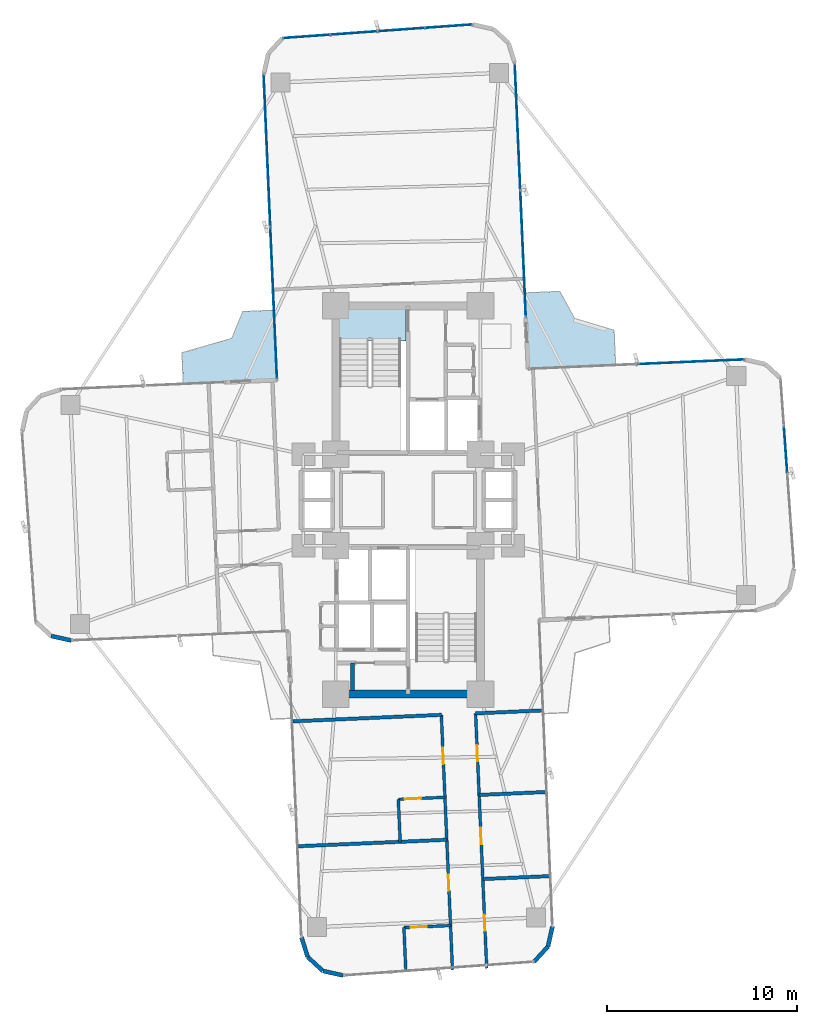
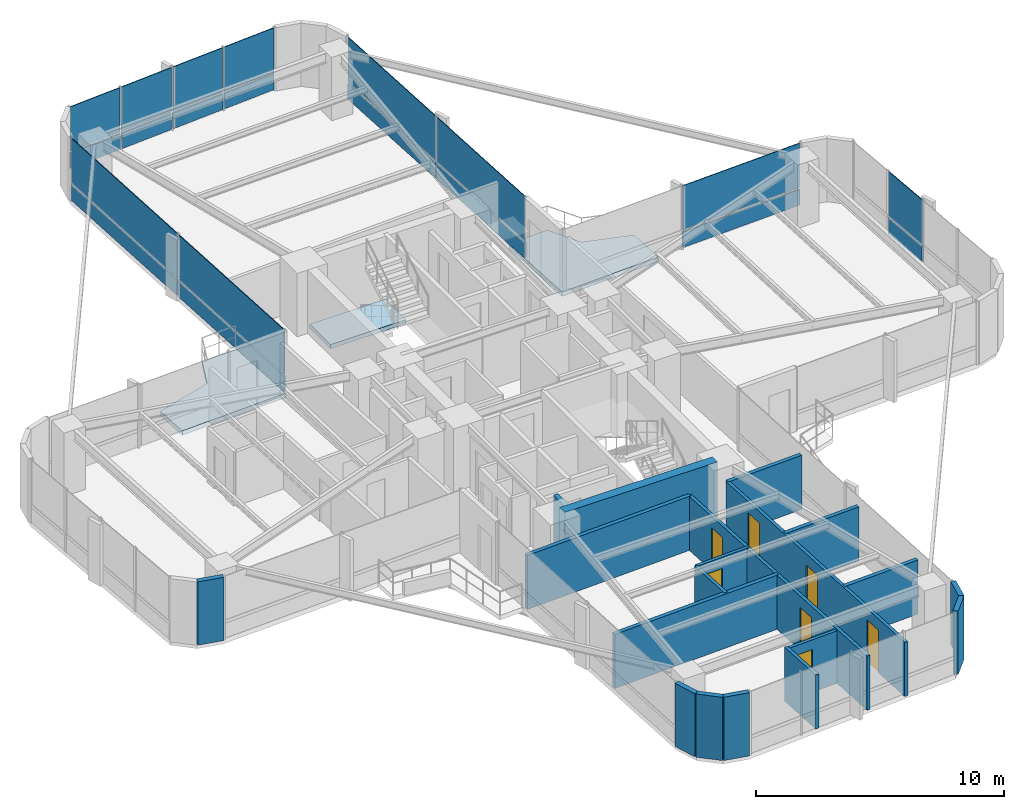
# One storey, part 22 of 26: 20 plates, 19 walls, 7 doors, 3 slabs, 7 openings, 5 elements without a shape of their own.
"""IFC4 building model written with IfcOpenShell, lengths in metres."""

import ifcopenshell
import ifcopenshell.guid

model = None  # the IFC model being written
_history = None  # IfcOwnerHistory: only IFC2X3 demands one
_inside = {}  # id of a spatial element -> (the spatial element, [elements in it])
_under = {}  # id of a project, library or spatial element -> (it, [spatial elements below it])
_declared = {}  # id of a project -> (the project, [libraries it declares])
_typed = {}  # id of a type object -> (the type object, [elements of that type])
_made_of = {}  # id of a material, layer set ... -> (it, [elements and type objects made of it])


def new_model(schema):
    """Start an empty IFC model of exactly this schema.

    Asked for "IFC4X3", IfcOpenShell would pick the latest addendum, in which some entities
    have other attributes; the version numbers below select the first issue.
    IFC2X3 requires an IfcOwnerHistory on every rooted entity: one is made here for all.
    """
    global model, _history
    if schema == "IFC4X3":
        model = ifcopenshell.file(schema_version=(4, 3, 0, 0))
    else:
        model = ifcopenshell.file(schema=schema)
    _inside.clear()
    _under.clear()
    _declared.clear()
    _typed.clear()
    _made_of.clear()
    _history = None
    if model.schema == "IFC2X3":
        org = make("IfcOrganization", Name="unknown")
        user = make(
            "IfcPersonAndOrganization",
            ThePerson=make("IfcPerson", FamilyName="unknown"),
            TheOrganization=org,
        )
        app = make(
            "IfcApplication",
            ApplicationDeveloper=org,
            Version="unknown",
            ApplicationFullName="unknown",
            ApplicationIdentifier="unknown",
        )
        _history = make(
            "IfcOwnerHistory",
            OwningUser=user,
            OwningApplication=app,
            ChangeAction="ADDED",
            CreationDate=0,
        )
    return model


def make(cls, **values):
    """One entity of the class cls with the attributes given. An attribute that is None is left unset."""
    return model.create_entity(
        cls, **{name: value for name, value in values.items() if value is not None}
    )


def rooted(cls, **values):
    """An entity with a GlobalId (a new one), such as an element, a storey or a relation."""
    return make(cls, GlobalId=ifcopenshell.guid.new(), OwnerHistory=_history, **values)


def si_unit(unit_type, name, prefix=None):
    """IfcSIUnit, for example si_unit("LENGTHUNIT", "METRE", prefix="MILLI")."""
    return make("IfcSIUnit", UnitType=unit_type, Prefix=prefix, Name=name)


def assignment(units):
    """IfcUnitAssignment: the units of a project."""
    return None if units is None else make("IfcUnitAssignment", Units=units)


def point(xyz):
    """IfcCartesianPoint."""
    return None if xyz is None else make("IfcCartesianPoint", Coordinates=xyz)


def direction(xyz):
    """IfcDirection."""
    return None if xyz is None else make("IfcDirection", DirectionRatios=xyz)


def frame(location, z_axis=None, x_axis=None):
    """IfcAxis2Placement3D, a coordinate frame: its origin and axes. An axis left out is left unset."""
    return make(
        "IfcAxis2Placement3D",
        Location=point(location),
        Axis=direction(z_axis),
        RefDirection=direction(x_axis),
    )


def frame_2d(location, x_axis=None):
    """IfcAxis2Placement2D, a coordinate frame in the plane: its origin and x axis."""
    return make(
        "IfcAxis2Placement2D", Location=point(location), RefDirection=direction(x_axis)
    )


def origin():
    """The frame at (0, 0, 0) with its axes left unset."""
    return frame((0.0, 0.0, 0.0))


def origin_2d():
    """The frame at (0, 0) in the plane with its x axis left unset."""
    return frame_2d((0.0, 0.0))


def place(relative_to, where):
    """IfcLocalPlacement: puts the frame where relative to a parent placement (None: the world)."""
    return make(
        "IfcLocalPlacement", PlacementRelTo=relative_to, RelativePlacement=where
    )


def context(
    kind, dimensions, precision=None, world=None, true_north=None, identifier=None
):
    """IfcGeometricRepresentationContext, for example the 3D "Model" context."""
    return make(
        "IfcGeometricRepresentationContext",
        ContextIdentifier=identifier,
        ContextType=kind,
        CoordinateSpaceDimension=dimensions,
        Precision=precision,
        WorldCoordinateSystem=world,
        TrueNorth=true_north,
    )


def subcontext(parent, identifier, kind, view, scale=None):
    """IfcGeometricRepresentationSubContext, for example "Body" below "Model"."""
    return make(
        "IfcGeometricRepresentationSubContext",
        ContextIdentifier=identifier,
        ContextType=kind,
        ParentContext=parent,
        TargetScale=scale,
        TargetView=view,
    )


def project(units=None, contexts=None):
    """IfcProject with its units and contexts."""
    return rooted(
        "IfcProject",
        Name="project",
        RepresentationContexts=contexts,
        UnitsInContext=assignment(units),
    )


def spatial(cls, under=None, at=None, **own):
    """A site, building, storey or space (cls), placed at a placement, below another one or the project."""
    s = rooted(cls, ObjectPlacement=at, **own)
    if under is not None:
        _under.setdefault(under.id(), (under, []))[1].append(s)
    return s


def polyline(points):
    """IfcPolyline through the points."""
    return make("IfcPolyline", Points=[point(p) for p in points])


def profile(cls, at=None, kind="AREA", **sizes):
    """A parametric profile (cls). Its sizes go by their IFC names, for example OverallWidth=200.0."""
    return make(cls, ProfileType=kind, Position=at, **sizes)


def rectangle(**sizes):
    """IfcRectangleProfileDef."""
    return profile("IfcRectangleProfileDef", **sizes)


def outline(outer, holes=None, kind="AREA"):
    """IfcArbitraryClosedProfileDef: a profile drawn as a closed curve; with holes, ...WithVoids."""
    if holes is None:
        return make("IfcArbitraryClosedProfileDef", ProfileType=kind, OuterCurve=outer)
    return make(
        "IfcArbitraryProfileDefWithVoids",
        ProfileType=kind,
        OuterCurve=outer,
        InnerCurves=holes,
    )


def extrude(swept, where, along, depth):
    """IfcExtrudedAreaSolid: the profile swept, set in the frame where, extruded along a direction by depth."""
    return make(
        "IfcExtrudedAreaSolid",
        SweptArea=swept,
        Position=where,
        ExtrudedDirection=direction(along),
        Depth=depth,
    )


def shape(context_of_items, identifier, shape_type, items):
    """IfcShapeRepresentation: the items that make up one representation, for example the "Body"."""
    return make(
        "IfcShapeRepresentation",
        ContextOfItems=context_of_items,
        RepresentationIdentifier=identifier,
        RepresentationType=shape_type,
        Items=items,
    )


def source(mapping_origin, context_of_items, identifier, shape_type, items):
    """IfcRepresentationMap: a shape defined once, which mapped items show again and again."""
    return make(
        "IfcRepresentationMap",
        MappingOrigin=mapping_origin,
        MappedRepresentation=shape(context_of_items, identifier, shape_type, items),
    )


def transform(
    local_origin,
    x_axis=None,
    y_axis=None,
    z_axis=None,
    scale=None,
    scale2=None,
    scale3=None,
    uniform=True,
):
    """IfcCartesianTransformationOperator3D, or its non-uniform kind. x_axis, y_axis, z_axis: its Axis1, 2, 3."""
    if uniform:
        return make(
            "IfcCartesianTransformationOperator3D",
            Axis1=direction(x_axis),
            Axis2=direction(y_axis),
            LocalOrigin=point(local_origin),
            Scale=scale,
            Axis3=direction(z_axis),
        )
    return make(
        "IfcCartesianTransformationOperator3DnonUniform",
        Axis1=direction(x_axis),
        Axis2=direction(y_axis),
        LocalOrigin=point(local_origin),
        Scale=scale,
        Axis3=direction(z_axis),
        Scale2=scale2,
        Scale3=scale3,
    )


def mapped(mapping_source, mapping_target):
    """IfcMappedItem: shows the shape of a source again, moved by a transform."""
    return make(
        "IfcMappedItem", MappingSource=mapping_source, MappingTarget=mapping_target
    )


def material(Name=None, Category=None):
    """IfcMaterial."""
    return make("IfcMaterial", Name=Name, Category=Category)


def layer(
    of_material, thickness, ventilated=None, Name=None, Category=None, Priority=None
):
    """IfcMaterialLayer: one layer of a wall or slab, of a material (None: an air gap)."""
    return make(
        "IfcMaterialLayer",
        Material=of_material,
        LayerThickness=thickness,
        IsVentilated=ventilated,
        Name=Name,
        Category=Category,
        Priority=Priority,
    )


def layer_set(layers, Name=None):
    """IfcMaterialLayerSet."""
    return make("IfcMaterialLayerSet", MaterialLayers=layers, LayerSetName=Name)


def made_of(thing, what):
    """Note that an element or type object is made of a material, layer set ...; save() writes the relation."""
    if what is not None:
        _made_of.setdefault(what.id(), (what, []))[1].append(thing)
    return thing


def type_object(cls, material=None, **own):
    """A type object (cls), such as IfcWallType, which elements share."""
    return made_of(rooted(cls, **own), material)


def element(
    cls,
    number,
    at=None,
    inside=None,
    cuts=None,
    type_object=None,
    material=None,
    context=None,
    identifier="Body",
    shape_type=None,
    held_by="IfcProductDefinitionShape",
    body=None,
    shapes=None,
    **own,
):
    """One element of the class cls, such as IfcWall. Its Tag is "e" and its number.

    at: its placement. inside: the storey or other place that contains it. cuts: it is an
    opening in that element (IfcRelVoidsElement). A single representation is given by context,
    identifier, shape_type and body (its items); several are given by shapes. held_by: the class
    of the entity that holds the representations. save() writes the other relations.
    """
    e = rooted(cls, Tag="e%d" % number, ObjectPlacement=at, **own)
    if body is not None:
        shapes = [shape(context, identifier, shape_type, body)]
    if shapes is not None:
        e.Representation = make(held_by, Representations=shapes)
    if inside is not None:
        _inside.setdefault(inside.id(), (inside, []))[1].append(e)
    if cuts is not None:
        rooted(
            "IfcRelVoidsElement", RelatingBuildingElement=cuts, RelatedOpeningElement=e
        )
    if type_object is not None:
        _typed.setdefault(type_object.id(), (type_object, []))[1].append(e)
    return made_of(e, material)


def fill(opening, filler):
    """IfcRelFillsElement: the door or window that sits in an opening."""
    return rooted(
        "IfcRelFillsElement",
        RelatingOpeningElement=opening,
        RelatedBuildingElement=filler,
    )


def aggregate(whole, parts):
    """IfcRelAggregates: a whole, such as a stair, and the parts it consists of."""
    return rooted("IfcRelAggregates", RelatingObject=whole, RelatedObjects=parts)


def save(model, path):
    """Write the relations noted so far, then the file.

    IfcRelAggregates (storeys below a building ...), IfcRelContainedInSpatialStructure (elements
    in a storey), IfcRelDefinesByType, IfcRelAssociatesMaterial and IfcRelDeclares: one each for
    every whole, place, type object, material and project.
    """
    for whole, parts in _under.values():
        aggregate(whole, parts)
    for where, things in _inside.values():
        rooted(
            "IfcRelContainedInSpatialStructure",
            RelatedElements=things,
            RelatingStructure=where,
        )
    for kind, things in _typed.values():
        rooted("IfcRelDefinesByType", RelatedObjects=things, RelatingType=kind)
    for what, things in _made_of.values():
        rooted("IfcRelAssociatesMaterial", RelatedObjects=things, RelatingMaterial=what)
    for by, libraries in _declared.values():
        rooted("IfcRelDeclares", RelatingContext=by, RelatedDefinitions=libraries)
    model.write(path)


model = new_model("IFC4")

# Units and contexts
model_context = context("Model", 3, precision=1e-05, world=origin(), true_north=direction((0.0, 1.0)))
body_context = subcontext(model_context, "Body", "Model", "MODEL_VIEW")
ifc_project = project(units=[si_unit("LENGTHUNIT", "METRE"), si_unit("AREAUNIT", "SQUARE_METRE"), si_unit("VOLUMEUNIT", "CUBIC_METRE"), si_unit("PLANEANGLEUNIT", "RADIAN"), si_unit("MASSUNIT", "GRAM", prefix="KILO")], contexts=[model_context])

# Site, building, storey
site_placement = place(None, origin())
site = spatial("IfcSite", under=ifc_project, at=site_placement, CompositionType="ELEMENT")
building_placement = place(site_placement, origin())
building = spatial("IfcBuilding", under=site, at=building_placement, Name="Sahyath Konkavel Grand Hotel", CompositionType="ELEMENT")
storey_placement = place(building_placement, frame((0.0, 0.0, 121.5)))
storey = spatial("IfcBuildingStorey", under=building, at=storey_placement, Name="L33", CompositionType="ELEMENT", Elevation=121.5)

# Slabs
ifc_material_1 = material(Name="Concrete C40/50", Category="concrete")
ifc_layer_1 = layer(ifc_material_1, 0.219970703125)
ifc_layer_set_1 = layer_set([ifc_layer_1], Name="Concrete C40/50")
slab_type_1 = type_object("IfcSlabType", Name="SLB-BALCONY-220", PredefinedType="FLOOR", material=ifc_layer_set_1)
slab_1_placement = place(storey_placement, frame((0.0, 0.0, -0.219970703125)))
element("IfcSlab", 1, at=slab_1_placement, inside=storey, type_object=slab_type_1, Name="L33 Winter-Garden Balcony NE", PredefinedType="FLOOR", context=body_context, shape_type="SweptSolid", body=[
    extrude(outline(polyline([(6.305908203125, 6.881591796875), (10.8994140625, 7.082275390625), (10.8193359375, 8.9150390625), (8.740234375, 9.538330078125), (7.964111328125, 10.959716796875), (6.13134765625, 10.8798828125), (6.305908203125, 6.881591796875)])), origin(), (0.0, 0.0, 1.0), 0.219970703125),
])
slab_2_placement = place(storey_placement, frame((0.0, 0.0, -0.219970703125)))
element("IfcSlab", 2, at=slab_2_placement, inside=storey, type_object=slab_type_1, Name="L33 Winter-Garden Balcony NW", PredefinedType="FLOOR", context=body_context, shape_type="SweptSolid", body=[
    extrude(outline(polyline([(-6.881591796875, 6.305908203125), (-7.04150390625, 9.96923828125), (-8.6845703125, 9.897705078125), (-9.26318359375, 8.488037109375), (-11.881591796875, 7.733642578125), (-11.809814453125, 6.0908203125), (-6.881591796875, 6.305908203125)])), origin(), (0.0, 0.0, 1.0), 0.219970703125),
])
ifc_layer_2 = layer(ifc_material_1, 0.199951171875)
ifc_layer_set_2 = layer_set([ifc_layer_2], Name="Concrete C40/50")
slab_type_2 = type_object("IfcSlabType", Name="SLB-STAIR-LND", PredefinedType="LANDING", material=ifc_layer_set_2)
slab_3_placement = place(storey_placement, frame((0.0, 0.0, -0.199951171875)))
element("IfcSlab", 3, at=slab_3_placement, inside=storey, type_object=slab_type_2, Name="L33 Stair ST-1 Floor Landing Slab", PredefinedType="LANDING", context=body_context, shape_type="SweptSolid", body=[
    extrude(outline(polyline([(-3.6201171875, 8.35009765625), (-0.10009765625, 8.35009765625), (-0.10009765625, 10.02001953125), (-3.6201171875, 10.02001953125), (-3.6201171875, 8.35009765625)])), origin(), (0.0, 0.0, 1.0), 0.199951171875),
])

# Curtain wall, plate
ifc_material_2 = material(Name="Anodised Bronze Aluminium & Low-E Glazing", Category="aluminium")
curtain_wall_type = type_object("IfcCurtainWallType", Name="CW-ZONE2", PredefinedType="NOTDEFINED", material=ifc_material_2)
curtain_wall_1_placement = place(storey_placement, origin())
curtain_wall_1 = element("IfcCurtainWall", 4, at=curtain_wall_1_placement, inside=storey, type_object=curtain_wall_type, Name="L33 Unitised Curtain Wall F4", PredefinedType="NOTDEFINED")
ifc_material_3 = material(Name="Warm Buff Sandstone Cladding", Category="masonry")
ifc_layer_3 = layer(ifc_material_3, 0.074951171875)
ifc_layer_set_3 = layer_set([ifc_layer_3], Name="Warm Buff Sandstone Cladding")
plate_type_1 = type_object("IfcPlateType", Name="PNL-SPANDREL-STONE", PredefinedType="SHEET", material=ifc_layer_set_3)
shared_shape_1 = source(origin(), body_context, "Body", "SweptSolid", [
    extrude(rectangle(XDim=2.41357421875, YDim=0.074951171875, at=origin_2d()), origin(), (0.0, 0.0, 1.0), 0.77001953125),
])
plate_1_placement = place(storey_placement, frame((19.828369140625, 2.638671875, 0.0400390625), z_axis=(0.0, 0.0, 1.0), x_axis=(-0.071567078661, 0.997435789037, 0.0)))
plate_1 = element("IfcPlate", 5, at=plate_1_placement, type_object=plate_type_1, Name="L33 Sandstone Relief Spandrel Panel F4-2", PredefinedType="SHEET", context=body_context, shape_type="MappedRepresentation", body=[
    mapped(shared_shape_1, transform((0.0, 0.0, 0.0), scale=1.0)),
])

# Curtain wall, plates
curtain_wall_2_placement = place(storey_placement, origin())
curtain_wall_2 = element("IfcCurtainWall", 6, at=curtain_wall_2_placement, inside=storey, type_object=curtain_wall_type, Name="L33 Unitised Curtain Wall F12", PredefinedType="NOTDEFINED")
plate_2_placement = place(storey_placement, frame((2.130615234375, 24.880615234375, 0.0400390625), z_axis=(0.0, 0.0, 1.0), x_axis=(-0.997435789037, -0.071567078661, 0.0)))
plate_2 = element("IfcPlate", 7, at=plate_2_placement, type_object=plate_type_1, Name="L33 Sandstone Relief Spandrel Panel F12-0", PredefinedType="SHEET", context=body_context, shape_type="MappedRepresentation", body=[
    mapped(shared_shape_1, transform((0.0, 0.0, 0.0), scale=1.0)),
])
plate_3_placement = place(storey_placement, frame((-0.356689453125, 24.7021484375, 0.0400390625), z_axis=(0.0, 0.0, 1.0), x_axis=(-0.997435789037, -0.071567078661, 0.0)))
plate_3 = element("IfcPlate", 8, at=plate_3_placement, type_object=plate_type_1, Name="L33 Sandstone Relief Spandrel Panel F12-1", PredefinedType="SHEET", context=body_context, shape_type="MappedRepresentation", body=[
    mapped(shared_shape_1, transform((0.0, 0.0, 0.0), scale=1.0)),
])
plate_4_placement = place(storey_placement, frame((-2.84375, 24.523681640625, 0.0400390625), z_axis=(0.0, 0.0, 1.0), x_axis=(-0.997435789037, -0.071567078661, 0.0)))
plate_4 = element("IfcPlate", 9, at=plate_4_placement, type_object=plate_type_1, Name="L33 Sandstone Relief Spandrel Panel F12-2", PredefinedType="SHEET", context=body_context, shape_type="MappedRepresentation", body=[
    mapped(shared_shape_1, transform((0.0, 0.0, 0.0), scale=1.0)),
])
plate_5_placement = place(storey_placement, frame((-5.330810546875, 24.34521484375, 0.0400390625), z_axis=(0.0, 0.0, 1.0), x_axis=(-0.997435789037, -0.071567078661, 0.0)))
plate_5 = element("IfcPlate", 10, at=plate_5_placement, type_object=plate_type_1, Name="L33 Sandstone Relief Spandrel Panel F12-3", PredefinedType="SHEET", context=body_context, shape_type="MappedRepresentation", body=[
    mapped(shared_shape_1, transform((0.0, 0.0, 0.0), scale=1.0)),
])

# Curtain wall, plate
curtain_wall_3_placement = place(storey_placement, origin())
curtain_wall_3 = element("IfcCurtainWall", 11, at=curtain_wall_3_placement, inside=storey, type_object=curtain_wall_type, Name="L33 Unitised Curtain Wall F7", PredefinedType="NOTDEFINED")
shared_shape_2 = source(origin(), body_context, "Body", "SweptSolid", [
    extrude(rectangle(XDim=5.580078125, YDim=0.074951171875, at=origin_2d()), origin(), (0.0, 0.0, 1.0), 0.77001953125),
])
plate_6_placement = place(storey_placement, frame((14.82763671875, 7.25390625, 0.0400390625), z_axis=(0.0, 0.0, 1.0), x_axis=(-0.999048221582, -0.043619387365, 0.0)))
plate_6 = element("IfcPlate", 12, at=plate_6_placement, type_object=plate_type_1, Name="L33 Sandstone Relief Spandrel Panel F7-0", PredefinedType="SHEET", context=body_context, shape_type="MappedRepresentation", body=[
    mapped(shared_shape_2, transform((0.0, 0.0, 0.0), scale=1.0)),
])

# Curtain wall, plates
curtain_wall_4_placement = place(storey_placement, origin())
curtain_wall_4 = element("IfcCurtainWall", 13, at=curtain_wall_4_placement, inside=storey, type_object=curtain_wall_type, Name="L33 Unitised Curtain Wall F8", PredefinedType="NOTDEFINED")
shared_shape_3 = source(origin(), body_context, "Body", "SweptSolid", [
    extrude(rectangle(XDim=6.580078125, YDim=0.074951171875, at=origin_2d()), origin(), (0.0, 0.0, 1.0), 0.77001953125),
])
plate_7_placement = place(storey_placement, frame((6.041015625, 12.94580078125, 0.0400390625), z_axis=(0.0, 0.0, 1.0), x_axis=(-0.043619387365, 0.999048221582, 0.0)))
plate_7 = element("IfcPlate", 14, at=plate_7_placement, type_object=plate_type_1, Name="L33 Sandstone Relief Spandrel Panel F8-0", PredefinedType="SHEET", context=body_context, shape_type="MappedRepresentation", body=[
    mapped(shared_shape_3, transform((0.0, 0.0, 0.0), scale=1.0)),
])
plate_8_placement = place(storey_placement, frame((5.75048828125, 19.599609375, 0.0400390625), z_axis=(0.0, 0.0, 1.0), x_axis=(-0.043619387365, 0.999048221582, 0.0)))
plate_8 = element("IfcPlate", 15, at=plate_8_placement, type_object=plate_type_1, Name="L33 Sandstone Relief Spandrel Panel F8-1", PredefinedType="SHEET", context=body_context, shape_type="MappedRepresentation", body=[
    mapped(shared_shape_3, transform((0.0, 0.0, 0.0), scale=1.0)),
])

curtain_wall_5_placement = place(storey_placement, origin())
curtain_wall_5 = element("IfcCurtainWall", 16, at=curtain_wall_5_placement, inside=storey, type_object=curtain_wall_type, Name="L33 Unitised Curtain Wall F15", PredefinedType="NOTDEFINED")
shared_shape_4 = source(origin(), body_context, "Body", "SweptSolid", [
    extrude(rectangle(XDim=7.929931640625, YDim=0.074951171875, at=origin_2d()), origin(), (0.0, 0.0, 1.0), 0.77001953125),
])
plate_9_placement = place(storey_placement, frame((-7.407470703125, 18.349365234375, 0.0400390625), z_axis=(0.0, 0.0, 1.0), x_axis=(0.043619387365, -0.999048221582, 0.0)))
plate_9 = element("IfcPlate", 17, at=plate_9_placement, type_object=plate_type_1, Name="L33 Sandstone Relief Spandrel Panel F15-0", PredefinedType="SHEET", context=body_context, shape_type="MappedRepresentation", body=[
    mapped(shared_shape_4, transform((0.0, 0.0, 0.0), scale=1.0)),
])
plate_10_placement = place(storey_placement, frame((-7.05810546875, 10.346923828125, 0.0400390625), z_axis=(0.0, 0.0, 1.0), x_axis=(0.043619387365, -0.999048221582, 0.0)))
plate_10 = element("IfcPlate", 18, at=plate_10_placement, type_object=plate_type_1, Name="L33 Sandstone Relief Spandrel Panel F15-1", PredefinedType="SHEET", context=body_context, shape_type="MappedRepresentation", body=[
    mapped(shared_shape_4, transform((0.0, 0.0, 0.0), scale=1.0)),
])

# Plate
ifc_material_4 = material(Name="Low-E Solar Control Double Glazing", Category="glass")
ifc_layer_4 = layer(ifc_material_4, 0.035888671875)
ifc_layer_set_4 = layer_set([ifc_layer_4], Name="Low-E Solar Control Double Glazing")
plate_type_2 = type_object("IfcPlateType", Name="PNL-VISION-LOWE", PredefinedType="CURTAIN_PANEL", material=ifc_layer_set_4)
shared_shape_5 = source(origin(), body_context, "Body", "SweptSolid", [
    extrude(rectangle(XDim=2.41357421875, YDim=0.035888671875, at=origin_2d()), origin(), (0.0, 0.0, 1.0), 2.179931640625),
])
plate_11_placement = place(storey_placement, frame((19.828369140625, 2.638671875, 0.89013671875), z_axis=(0.0, 0.0, 1.0), x_axis=(-0.071567078661, 0.997435789037, 0.0)))
plate_11 = element("IfcPlate", 19, at=plate_11_placement, type_object=plate_type_2, Name="L33 Low-E Vision Glazing Panel F4-2", PredefinedType="CURTAIN_PANEL", context=body_context, shape_type="MappedRepresentation", body=[
    mapped(shared_shape_5, transform((0.0, 0.0, 0.0), scale=1.0)),
])

aggregate(curtain_wall_1, [plate_1, plate_11])

plate_12_placement = place(storey_placement, frame((2.130615234375, 24.880615234375, 0.89013671875), z_axis=(0.0, 0.0, 1.0), x_axis=(-0.997435789037, -0.071567078661, 0.0)))
plate_12 = element("IfcPlate", 20, at=plate_12_placement, type_object=plate_type_2, Name="L33 Low-E Vision Glazing Panel F12-0", PredefinedType="CURTAIN_PANEL", context=body_context, shape_type="MappedRepresentation", body=[
    mapped(shared_shape_5, transform((0.0, 0.0, 0.0), scale=1.0)),
])

plate_13_placement = place(storey_placement, frame((-0.356689453125, 24.7021484375, 0.89013671875), z_axis=(0.0, 0.0, 1.0), x_axis=(-0.997435789037, -0.071567078661, 0.0)))
plate_13 = element("IfcPlate", 21, at=plate_13_placement, type_object=plate_type_2, Name="L33 Low-E Vision Glazing Panel F12-1", PredefinedType="CURTAIN_PANEL", context=body_context, shape_type="MappedRepresentation", body=[
    mapped(shared_shape_5, transform((0.0, 0.0, 0.0), scale=1.0)),
])

plate_14_placement = place(storey_placement, frame((-2.84375, 24.523681640625, 0.89013671875), z_axis=(0.0, 0.0, 1.0), x_axis=(-0.997435789037, -0.071567078661, 0.0)))
plate_14 = element("IfcPlate", 22, at=plate_14_placement, type_object=plate_type_2, Name="L33 Low-E Vision Glazing Panel F12-2", PredefinedType="CURTAIN_PANEL", context=body_context, shape_type="MappedRepresentation", body=[
    mapped(shared_shape_5, transform((0.0, 0.0, 0.0), scale=1.0)),
])

plate_15_placement = place(storey_placement, frame((-5.330810546875, 24.34521484375, 0.89013671875), z_axis=(0.0, 0.0, 1.0), x_axis=(-0.997435789037, -0.071567078661, 0.0)))
plate_15 = element("IfcPlate", 23, at=plate_15_placement, type_object=plate_type_2, Name="L33 Low-E Vision Glazing Panel F12-3", PredefinedType="CURTAIN_PANEL", context=body_context, shape_type="MappedRepresentation", body=[
    mapped(shared_shape_5, transform((0.0, 0.0, 0.0), scale=1.0)),
])

aggregate(curtain_wall_2, [plate_2, plate_12, plate_3, plate_13, plate_4, plate_14, plate_5, plate_15])

shared_shape_6 = source(origin(), body_context, "Body", "SweptSolid", [
    extrude(rectangle(XDim=5.580078125, YDim=0.035888671875, at=origin_2d()), origin(), (0.0, 0.0, 1.0), 2.179931640625),
])
plate_16_placement = place(storey_placement, frame((14.82763671875, 7.25390625, 0.89013671875), z_axis=(0.0, 0.0, 1.0), x_axis=(-0.999048221582, -0.043619387365, 0.0)))
plate_16 = element("IfcPlate", 24, at=plate_16_placement, type_object=plate_type_2, Name="L33 Low-E Vision Glazing Panel F7-0", PredefinedType="CURTAIN_PANEL", context=body_context, shape_type="MappedRepresentation", body=[
    mapped(shared_shape_6, transform((0.0, 0.0, 0.0), scale=1.0)),
])

aggregate(curtain_wall_3, [plate_6, plate_16])

shared_shape_7 = source(origin(), body_context, "Body", "SweptSolid", [
    extrude(rectangle(XDim=6.580078125, YDim=0.035888671875, at=origin_2d()), origin(), (0.0, 0.0, 1.0), 2.179931640625),
])
plate_17_placement = place(storey_placement, frame((6.041015625, 12.94580078125, 0.89013671875), z_axis=(0.0, 0.0, 1.0), x_axis=(-0.043619387365, 0.999048221582, 0.0)))
plate_17 = element("IfcPlate", 25, at=plate_17_placement, type_object=plate_type_2, Name="L33 Low-E Vision Glazing Panel F8-0", PredefinedType="CURTAIN_PANEL", context=body_context, shape_type="MappedRepresentation", body=[
    mapped(shared_shape_7, transform((0.0, 0.0, 0.0), scale=1.0)),
])

plate_18_placement = place(storey_placement, frame((5.75048828125, 19.599609375, 0.89013671875), z_axis=(0.0, 0.0, 1.0), x_axis=(-0.043619387365, 0.999048221582, 0.0)))
plate_18 = element("IfcPlate", 26, at=plate_18_placement, type_object=plate_type_2, Name="L33 Low-E Vision Glazing Panel F8-1", PredefinedType="CURTAIN_PANEL", context=body_context, shape_type="MappedRepresentation", body=[
    mapped(shared_shape_7, transform((0.0, 0.0, 0.0), scale=1.0)),
])

aggregate(curtain_wall_4, [plate_7, plate_17, plate_8, plate_18])

shared_shape_8 = source(origin(), body_context, "Body", "SweptSolid", [
    extrude(rectangle(XDim=7.929931640625, YDim=0.035888671875, at=origin_2d()), origin(), (0.0, 0.0, 1.0), 2.179931640625),
])
plate_19_placement = place(storey_placement, frame((-7.407470703125, 18.349365234375, 0.89013671875), z_axis=(0.0, 0.0, 1.0), x_axis=(0.043619387365, -0.999048221582, 0.0)))
plate_19 = element("IfcPlate", 27, at=plate_19_placement, type_object=plate_type_2, Name="L33 Low-E Vision Glazing Panel F15-0", PredefinedType="CURTAIN_PANEL", context=body_context, shape_type="MappedRepresentation", body=[
    mapped(shared_shape_8, transform((0.0, 0.0, 0.0), scale=1.0)),
])

plate_20_placement = place(storey_placement, frame((-7.05810546875, 10.346923828125, 0.89013671875), z_axis=(0.0, 0.0, 1.0), x_axis=(0.043619387365, -0.999048221582, 0.0)))
plate_20 = element("IfcPlate", 28, at=plate_20_placement, type_object=plate_type_2, Name="L33 Low-E Vision Glazing Panel F15-1", PredefinedType="CURTAIN_PANEL", context=body_context, shape_type="MappedRepresentation", body=[
    mapped(shared_shape_8, transform((0.0, 0.0, 0.0), scale=1.0)),
])

aggregate(curtain_wall_5, [plate_9, plate_19, plate_10, plate_20])

# Walls
ifc_material_5 = material(Name="Concrete C50/60", Category="concrete")
ifc_layer_5 = layer(ifc_material_5, 0.419921875)
ifc_layer_set_5 = layer_set([ifc_layer_5], Name="Concrete C50/60")
wall_type_1 = type_object("IfcWallType", Name="CWALL-420", PredefinedType="SHEAR", material=ifc_layer_set_5)
wall_1_placement = place(storey_placement, frame((-3.550048828125, -10.199951171875, 0.0), z_axis=(0.0, 0.0, 1.0), x_axis=(1.0, 0.0, 0.0)))
element("IfcWall", 29, at=wall_1_placement, inside=storey, type_object=wall_type_1, Name="L33 South Core Shear Wall S", PredefinedType="SHEAR", context=body_context, shape_type="SweptSolid", body=[
    extrude(rectangle(XDim=7.10009765625, YDim=0.419921875, at=frame_2d((3.550048828125, 0.0))), origin(), (0.0, 0.0, 1.0), 3.110107421875),
])
ifc_material_6 = material(Name="Warm Buff Sandstone Insulated Concrete C40/50", Category="masonry")
ifc_layer_6 = layer(ifc_material_6, 0.219970703125)
ifc_layer_set_6 = layer_set([ifc_layer_6], Name="Warm Buff Sandstone Insulated Concrete C40/50")
wall_type_2 = type_object("IfcWallType", Name="WLL-BALC-THRESH", PredefinedType="STANDARD", material=ifc_layer_set_6)
wall_2_placement = place(storey_placement, frame((-18.75634765625, -7.1435546875, 0.0), z_axis=(0.0, 0.0, 1.0), x_axis=(0.976282085775, -0.216502399514, 0.0)))
element("IfcWall", 30, at=wall_2_placement, inside=storey, type_object=wall_type_2, Name="L33 Rounded Corner Sandstone Pier 22", PredefinedType="STANDARD", context=body_context, shape_type="SweptSolid", body=[
    extrude(rectangle(XDim=1.087158203125, YDim=0.219970703125, at=frame_2d((0.54345703125, 0.0))), origin(), (0.0, 0.0, 1.0), 3.110107421875),
])
wall_3_placement = place(storey_placement, frame((-5.603515625, -22.96630859375, 0.0), z_axis=(0.0, 0.0, 1.0), x_axis=(0.300755105707, -0.953701403161, 0.0)))
element("IfcWall", 31, at=wall_3_placement, inside=storey, type_object=wall_type_2, Name="L33 Rounded Corner Sandstone Pier 25", PredefinedType="STANDARD", context=body_context, shape_type="SweptSolid", body=[
    extrude(rectangle(XDim=1.0869140625, YDim=0.219970703125, at=frame_2d((0.54345703125, 0.0))), origin(), (0.0, 0.0, 1.0), 3.110107421875),
])
wall_4_placement = place(storey_placement, frame((-5.276611328125, -24.0029296875, 0.0), z_axis=(0.0, 0.0, 1.0), x_axis=(0.737312600672, -0.675551721847, 0.0)))
element("IfcWall", 32, at=wall_4_placement, inside=storey, type_object=wall_type_2, Name="L33 Rounded Corner Sandstone Pier 26", PredefinedType="STANDARD", context=body_context, shape_type="SweptSolid", body=[
    extrude(rectangle(XDim=1.087158203125, YDim=0.219970703125, at=frame_2d((0.54345703125, 0.0))), origin(), (0.0, 0.0, 1.0), 3.110107421875),
])
for number, where, z_axis, x_axis, name in (
    (33, (-4.47509765625, -24.7373046875, 0.0), (0.0, 0.0, 1.0), (0.976271555154, -0.216549880158, 0.0), "L33 Rounded Corner Sandstone Pier 27"),
    (34, (6.6142578125, -24.253173828125, 0.0), (0.0, 0.0, 1.0), (0.675663596772, 0.737210081318, 0.0), "L33 Rounded Corner Sandstone Pier 29"),
):
    element("IfcWall", number, at=place(storey_placement, frame(where, z_axis=z_axis, x_axis=x_axis)), inside=storey, type_object=wall_type_2, Name=name, PredefinedType="STANDARD", context=body_context, shape_type="SweptSolid", body=[
        extrude(rectangle(XDim=1.0869140625, YDim=0.219970703125, at=frame_2d((0.54345703125, 0.0))), origin(), (0.0, 0.0, 1.0), 3.110107421875),
    ])
wall_5_placement = place(storey_placement, frame((7.3486328125, -23.451904296875, 0.0), z_axis=(0.0, 0.0, 1.0), x_axis=(0.216454939174, 0.976292609471, 0.0)))
element("IfcWall", 35, at=wall_5_placement, inside=storey, type_object=wall_type_2, Name="L33 Rounded Corner Sandstone Pier 30", PredefinedType="STANDARD", context=body_context, shape_type="SweptSolid", body=[
    extrude(rectangle(XDim=1.08740234375, YDim=0.219970703125, at=frame_2d((0.543701171875, 0.0))), origin(), (0.0, 0.0, 1.0), 3.110107421875),
])
ifc_layer_7 = layer(ifc_material_1, 0.199951171875)
ifc_layer_set_7 = layer_set([ifc_layer_7], Name="Concrete C40/50")
wall_type_3 = type_object("IfcWallType", Name="WLL-CORE-200", PredefinedType="SOLIDWALL", material=ifc_layer_set_7)
wall_6_placement = place(storey_placement, frame((-2.919921875, -10.0, 0.0), z_axis=(0.0, 0.0, 1.0), x_axis=(0.0, 1.0, 0.0)))
element("IfcWall", 36, at=wall_6_placement, inside=storey, type_object=wall_type_3, Name="L33 Partition SFF-W2", PredefinedType="SOLIDWALL", context=body_context, shape_type="SweptSolid", body=[
    extrude(rectangle(XDim=1.43994140625, YDim=0.199951171875, at=frame_2d((0.719970703125, 0.0))), origin(), (0.0, 0.0, 1.0), 2.659912109375),
])
ifc_material_7 = material(Name="Twin-Stud Acoustic Gypsum Plasterboard Partition")
ifc_layer_8 = layer(ifc_material_7, 0.179931640625)
ifc_layer_set_8 = layer_set([ifc_layer_8], Name="Twin-Stud Acoustic Gypsum Plasterboard Partition")
wall_type_4 = type_object("IfcWallType", Name="WLL-DEMISE-180", PredefinedType="PARTITIONING", material=ifc_layer_set_8)
wall_7_placement = place(storey_placement, frame((3.542236328125, -11.206298828125, 0.0), z_axis=(0.0, 0.0, 1.0), x_axis=(0.999046129111, 0.04366728647, 0.0)))
element("IfcWall", 37, at=wall_7_placement, inside=storey, type_object=wall_type_4, Name="L33 Partition S-INL", PredefinedType="PARTITIONING", context=body_context, shape_type="SweptSolid", body=[
    extrude(rectangle(XDim=3.5, YDim=0.179931640625, at=frame_2d((1.75, 0.0))), origin(), (0.0, 0.0, 1.0), 2.659912109375),
])
wall_8_placement = place(storey_placement, frame((-6.048583984375, -11.625, 0.0), z_axis=(0.0, 0.0, 1.0), x_axis=(0.999047634936, 0.043632821702, 0.0)))
element("IfcWall", 38, at=wall_8_placement, inside=storey, type_object=wall_type_4, Name="L33 Partition S-INR", PredefinedType="PARTITIONING", context=body_context, shape_type="SweptSolid", body=[
    extrude(rectangle(XDim=7.7998046875, YDim=0.179931640625, at=frame_2d((3.89990234375, 0.0))), origin(), (0.0, 0.0, 1.0), 2.659912109375),
])
for number, where, z_axis, x_axis, name in (
    (39, (3.729248046875, -15.489990234375, 0.0), (0.0, 0.0, 1.0), (0.999049169846, 0.043597663116, 0.0), "L33 Partition S-S1L-DEM"),
    (40, (3.922119140625, -19.907958984375, 0.0), (0.0, 0.0, 1.0), (0.999046129111, 0.04366728647, 0.0), "L33 Partition S-S2L-DEM"),
):
    element("IfcWall", number, at=place(storey_placement, frame(where, z_axis=z_axis, x_axis=x_axis)), inside=storey, type_object=wall_type_4, Name=name, PredefinedType="PARTITIONING", context=body_context, shape_type="SweptSolid", body=[
        extrude(rectangle(XDim=3.5, YDim=0.179931640625, at=frame_2d((1.75, 0.0))), origin(), (0.0, 0.0, 1.0), 2.659912109375),
    ])
wall_9_placement = place(storey_placement, frame((2.0302734375, -17.844482421875, 0.0), z_axis=(0.0, 0.0, 1.0), x_axis=(-0.999047634936, -0.043632821702, 0.0)))
element("IfcWall", 41, at=wall_9_placement, inside=storey, type_object=wall_type_4, Name="L33 Partition S-S1R-DEM", PredefinedType="PARTITIONING", context=body_context, shape_type="SweptSolid", body=[
    extrude(rectangle(XDim=7.7998046875, YDim=0.179931640625, at=frame_2d((3.89990234375, 0.0))), origin(), (0.0, 0.0, 1.0), 2.659912109375),
])

# Wall, openings, doors
ifc_material_8 = material(Name="Fire-Rated Gypsum Plasterboard Partition")
ifc_layer_9 = layer(ifc_material_8, 0.14990234375)
ifc_layer_set_9 = layer_set([ifc_layer_9], Name="Fire-Rated Gypsum Plasterboard Partition")
wall_type_5 = type_object("IfcWallType", Name="WLL-PART-150", PredefinedType="PARTITIONING", material=ifc_layer_set_9)
wall_10_placement = place(storey_placement, frame((3.542236328125, -11.206298828125, 0.0), z_axis=(0.0, 0.0, 1.0), x_axis=(0.043617493533, -0.999048304267, 0.0)))
wall_10 = element("IfcWall", 42, at=wall_10_placement, inside=storey, type_object=wall_type_5, Name="L33 Partition S-CL", PredefinedType="PARTITIONING", context=body_context, shape_type="SweptSolid", body=[
    extrude(rectangle(XDim=13.39990234375, YDim=0.14990234375, at=frame_2d((6.699951171875, 0.0))), origin(), (0.0, 0.0, 1.0), 2.659912109375),
])
opening_1_placement = place(wall_10_placement, frame((1.6689453125, 0.0, 0.0)))
opening_1 = element("IfcOpeningElement", 43, at=opening_1_placement, cuts=wall_10, Name="Opening D-F06D", PredefinedType="OPENING", context=body_context, shape_type="SweptSolid", body=[
    extrude(rectangle(XDim=0.85009765625, YDim=2.10009765625, at=frame_2d((0.425048828125, 1.050048828125))), frame((0.0, 0.0849609375, 0.0), z_axis=(0.0, -1.0, 0.0), x_axis=(1.0, 0.0, 0.0)), (0.0, 0.0, 1.0), 0.169921875),
])
opening_2_placement = place(wall_10_placement, frame((6.02392578125, 0.0, 0.0)))
opening_2 = element("IfcOpeningElement", 44, at=opening_2_placement, cuts=wall_10, Name="Opening D-F06D", PredefinedType="OPENING", context=body_context, shape_type="SweptSolid", body=[
    extrude(rectangle(XDim=0.85009765625, YDim=2.10009765625, at=frame_2d((0.425048828125, 1.050048828125))), frame((0.0, 0.0849609375, 0.0), z_axis=(0.0, -1.0, 0.0), x_axis=(1.0, 0.0, 0.0)), (0.0, 0.0, 1.0), 0.169921875),
])
opening_3_placement = place(wall_10_placement, frame((10.580078125, 0.0, 0.0)))
opening_3 = element("IfcOpeningElement", 45, at=opening_3_placement, cuts=wall_10, Name="Opening D-F06D", PredefinedType="OPENING", context=body_context, shape_type="SweptSolid", body=[
    extrude(rectangle(XDim=0.85009765625, YDim=2.10009765625, at=frame_2d((0.425048828125, 1.050048828125))), frame((0.0, 0.0849609375, 0.0), z_axis=(0.0, -1.0, 0.0), x_axis=(1.0, 0.0, 0.0)), (0.0, 0.0, 1.0), 0.169921875),
])
ifc_material_9 = material(Name="Fire-Rated Shaft Access Door")
door_type_1 = type_object("IfcDoorType", Name="DR-FD60-850", OperationType="NOTDEFINED", PredefinedType="DOOR", material=ifc_material_9)
shared_shape_9 = source(origin(), body_context, "Body", "SweptSolid", [
    extrude(rectangle(XDim=0.85009765625, YDim=0.050048828125, at=origin_2d()), origin(), (0.0, 0.0, 1.0), 2.10009765625),
])
door_1_placement = place(opening_1_placement, frame((0.425048828125, 0.0, 0.0)))
door_1 = element("IfcDoor", 46, at=door_1_placement, inside=storey, type_object=door_type_1, Name="L33 Door S-S1L-D", OperationType="SINGLE_SWING_RIGHT", OverallHeight=2.10009765625, OverallWidth=0.85009765625, PredefinedType="DOOR", context=body_context, shape_type="MappedRepresentation", body=[
    mapped(shared_shape_9, transform((0.0, 0.0, 0.0), scale=1.0)),
])
fill(opening_1, door_1)
door_2_placement = place(opening_2_placement, frame((0.425048828125, 0.0, 0.0)))
door_2 = element("IfcDoor", 47, at=door_2_placement, inside=storey, type_object=door_type_1, Name="L33 Door S-S2L-D", OperationType="SINGLE_SWING_LEFT", OverallHeight=2.10009765625, OverallWidth=0.85009765625, PredefinedType="DOOR", context=body_context, shape_type="MappedRepresentation", body=[
    mapped(shared_shape_9, transform((0.0, 0.0, 0.0), scale=1.0)),
])
fill(opening_2, door_2)
door_3_placement = place(opening_3_placement, frame((0.425048828125, 0.0, 0.0)))
door_3 = element("IfcDoor", 48, at=door_3_placement, inside=storey, type_object=door_type_1, Name="L33 Door S-S3L-D", OperationType="SINGLE_SWING_RIGHT", OverallHeight=2.10009765625, OverallWidth=0.85009765625, PredefinedType="DOOR", context=body_context, shape_type="MappedRepresentation", body=[
    mapped(shared_shape_9, transform((0.0, 0.0, 0.0), scale=1.0)),
])
fill(opening_3, door_3)

wall_11_placement = place(storey_placement, frame((1.743896484375, -11.28466796875, 0.0), z_axis=(0.0, 0.0, 1.0), x_axis=(0.043617493533, -0.999048304267, 0.0)))
wall_11 = element("IfcWall", 49, at=wall_11_placement, inside=storey, type_object=wall_type_5, Name="L33 Partition S-CR", PredefinedType="PARTITIONING", context=body_context, shape_type="SweptSolid", body=[
    extrude(rectangle(XDim=13.39990234375, YDim=0.14990234375, at=frame_2d((6.699951171875, 0.0))), origin(), (0.0, 0.0, 1.0), 2.659912109375),
])
opening_4_placement = place(wall_11_placement, frame((1.741943359375, 0.0, 0.0)))
opening_4 = element("IfcOpeningElement", 50, at=opening_4_placement, cuts=wall_11, Name="Opening D-F06D", PredefinedType="OPENING", context=body_context, shape_type="SweptSolid", body=[
    extrude(rectangle(XDim=0.85009765625, YDim=2.10009765625, at=frame_2d((0.425048828125, 1.050048828125))), frame((0.0, 0.0849609375, 0.0), z_axis=(0.0, -1.0, 0.0), x_axis=(1.0, 0.0, 0.0)), (0.0, 0.0, 1.0), 0.169921875),
])
opening_5_placement = place(wall_11_placement, frame((8.39599609375, 0.0, 0.0)))
opening_5 = element("IfcOpeningElement", 51, at=opening_5_placement, cuts=wall_11, Name="Opening D-F06D", PredefinedType="OPENING", context=body_context, shape_type="SweptSolid", body=[
    extrude(rectangle(XDim=0.85009765625, YDim=2.10009765625, at=frame_2d((0.425048828125, 1.050048828125))), frame((0.0, 0.0849609375, 0.0), z_axis=(0.0, -1.0, 0.0), x_axis=(1.0, 0.0, 0.0)), (0.0, 0.0, 1.0), 0.169921875),
])
door_4_placement = place(opening_4_placement, frame((0.425048828125, 0.0, 0.0)))
door_4 = element("IfcDoor", 52, at=door_4_placement, inside=storey, type_object=door_type_1, Name="L33 Door S-S1R-ED", OperationType="SINGLE_SWING_RIGHT", OverallHeight=2.10009765625, OverallWidth=0.85009765625, PredefinedType="DOOR", context=body_context, shape_type="MappedRepresentation", body=[
    mapped(shared_shape_9, transform((0.0, 0.0, 0.0), scale=1.0)),
])
fill(opening_4, door_4)
door_5_placement = place(opening_5_placement, frame((0.425048828125, 0.0, 0.0)))
door_5 = element("IfcDoor", 53, at=door_5_placement, inside=storey, type_object=door_type_1, Name="L33 Door S-S2R-ED", OperationType="SINGLE_SWING_RIGHT", OverallHeight=2.10009765625, OverallWidth=0.85009765625, PredefinedType="DOOR", context=body_context, shape_type="MappedRepresentation", body=[
    mapped(shared_shape_9, transform((0.0, 0.0, 0.0), scale=1.0)),
])
fill(opening_5, door_5)

# Wall, opening, door
wall_12_placement = place(storey_placement, frame((1.932861328125, -15.614501953125, 0.0), z_axis=(0.0, 0.0, 1.0), x_axis=(-0.999046922443, -0.043649132372, 0.0)))
wall_12 = element("IfcWall", 54, at=wall_12_placement, inside=storey, type_object=wall_type_5, Name="L33 Partition S-S1R-BS", PredefinedType="PARTITIONING", context=body_context, shape_type="SweptSolid", body=[
    extrude(rectangle(XDim=2.449951171875, YDim=0.14990234375, at=frame_2d((1.22509765625, 0.0))), origin(), (0.0, 0.0, 1.0), 2.659912109375),
])
opening_6_placement = place(wall_12_placement, frame((1.25, 0.0, 0.0)))
opening_6 = element("IfcOpeningElement", 55, at=opening_6_placement, cuts=wall_12, Name="Opening D-BT85", PredefinedType="OPENING", context=body_context, shape_type="SweptSolid", body=[
    extrude(rectangle(XDim=0.85009765625, YDim=2.10009765625, at=frame_2d((0.425048828125, 1.050048828125))), frame((0.0, 0.0849609375, 0.0), z_axis=(0.0, -1.0, 0.0), x_axis=(1.0, 0.0, 0.0)), (0.0, 0.0, 1.0), 0.169921875),
])
ifc_material_10 = material(Name="Moisture-Resistant Teak Bathroom Door")
door_type_2 = type_object("IfcDoorType", Name="DR-BATH-850", OperationType="NOTDEFINED", PredefinedType="DOOR", material=ifc_material_10)
door_6_placement = place(opening_6_placement, frame((0.425048828125, 0.0, 0.0)))
door_6 = element("IfcDoor", 56, at=door_6_placement, inside=storey, type_object=door_type_2, Name="L33 Door S-S1R-BD", OperationType="SINGLE_SWING_LEFT", OverallHeight=2.10009765625, OverallWidth=0.85009765625, PredefinedType="DOOR", context=body_context, shape_type="MappedRepresentation", body=[
    mapped(shared_shape_9, transform((0.0, 0.0, 0.0), scale=1.0)),
])
fill(opening_6, door_6)

# Wall
wall_13_placement = place(storey_placement, frame((-0.5146484375, -15.721435546875, 0.0), z_axis=(0.0, 0.0, 1.0), x_axis=(0.0435321553, -0.999052026401, 0.0)))
element("IfcWall", 57, at=wall_13_placement, inside=storey, type_object=wall_type_5, Name="L33 Partition S-S1R-BF", PredefinedType="PARTITIONING", context=body_context, shape_type="SweptSolid", body=[
    extrude(rectangle(XDim=2.232177734375, YDim=0.14990234375, at=frame_2d((1.1162109375, 0.0))), origin(), (0.0, 0.0, 1.0), 2.659912109375),
])

# Wall, opening, door
wall_14_placement = place(storey_placement, frame((2.22705078125, -22.35009765625, 0.0), z_axis=(0.0, 0.0, 1.0), x_axis=(-0.999047112283, -0.043644787072, 0.0)))
wall_14 = element("IfcWall", 58, at=wall_14_placement, inside=storey, type_object=wall_type_5, Name="L33 Partition S-S2R-BS", PredefinedType="PARTITIONING", context=body_context, shape_type="SweptSolid", body=[
    extrude(rectangle(XDim=2.4501953125, YDim=0.14990234375, at=frame_2d((1.22509765625, 0.0))), origin(), (0.0, 0.0, 1.0), 2.580078125),
])
opening_7_placement = place(wall_14_placement, frame((1.25, 0.0, 0.0)))
opening_7 = element("IfcOpeningElement", 59, at=opening_7_placement, cuts=wall_14, Name="Opening D-BT85", PredefinedType="OPENING", context=body_context, shape_type="SweptSolid", body=[
    extrude(rectangle(XDim=0.85009765625, YDim=2.10009765625, at=frame_2d((0.425048828125, 1.050048828125))), frame((0.0, 0.0849609375, 0.0), z_axis=(0.0, -1.0, 0.0), x_axis=(1.0, 0.0, 0.0)), (0.0, 0.0, 1.0), 0.169921875),
])
door_7_placement = place(opening_7_placement, frame((0.425048828125, 0.0, 0.0)))
door_7 = element("IfcDoor", 60, at=door_7_placement, inside=storey, type_object=door_type_2, Name="L33 Door S-S2R-BD", OperationType="SINGLE_SWING_LEFT", OverallHeight=2.10009765625, OverallWidth=0.85009765625, PredefinedType="DOOR", context=body_context, shape_type="MappedRepresentation", body=[
    mapped(shared_shape_9, transform((0.0, 0.0, 0.0), scale=1.0)),
])
fill(opening_7, door_7)

# Wall
wall_15_placement = place(storey_placement, frame((-0.220703125, -22.45703125, 0.0), z_axis=(0.0, 0.0, 1.0), x_axis=(0.043596784584, -0.999049208184, 0.0)))
element("IfcWall", 61, at=wall_15_placement, inside=storey, type_object=wall_type_5, Name="L33 Partition S-S2R-BF", PredefinedType="PARTITIONING", context=body_context, shape_type="SweptSolid", body=[
    extrude(rectangle(XDim=2.323974609375, YDim=0.14990234375, at=frame_2d((1.162109375, 0.0))), origin(), (0.0, 0.0, 1.0), 2.659912109375),
])

save(model, "model.ifc")
